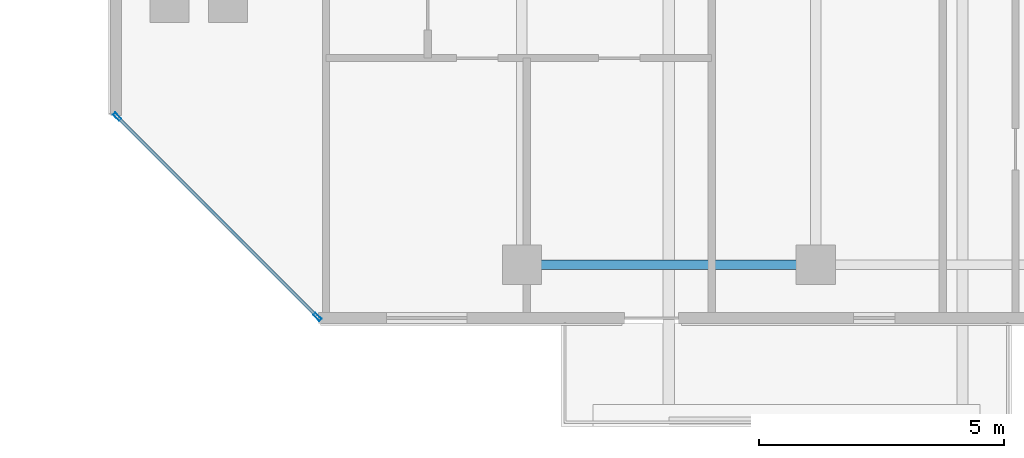
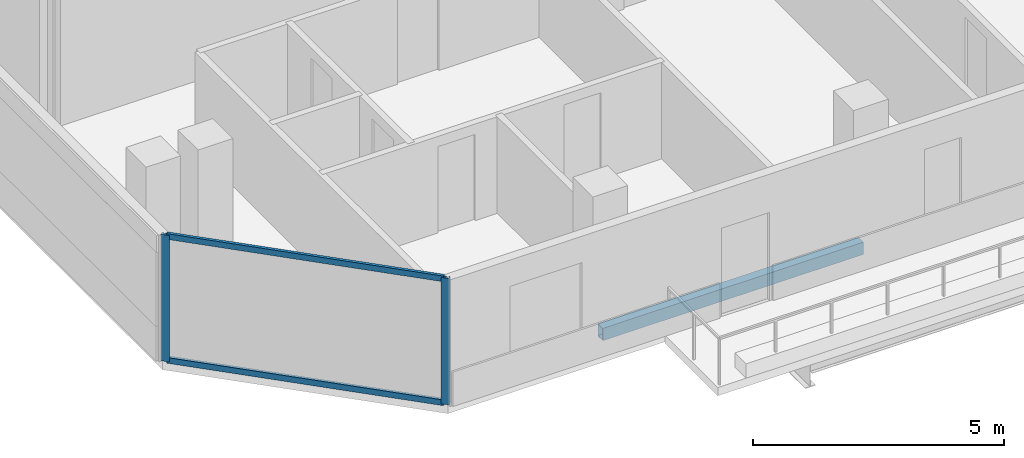
# One storey, part 2 of 29: 4 members, 1 beam, 1 element without a shape of its own.
"""IFC4 building model written with IfcOpenShell, lengths in metres."""

from ifc_helpers import new_model, si_unit, direction, frame, origin, origin_2d, place, context, subcontext, project, spatial, hollow_rectangle, extrude, material, layer, layer_set, material_profile, profile_set, type_object, element, aggregate, save


model = new_model("IFC4")

# Units and contexts
model_context = context("Model", 3, precision=1e-05, world=origin(), true_north=direction((0.0, 1.0)))
body_context = subcontext(model_context, "Body", "Model", "MODEL_VIEW")
ifc_project = project(units=[si_unit("LENGTHUNIT", "METRE"), si_unit("AREAUNIT", "SQUARE_METRE"), si_unit("VOLUMEUNIT", "CUBIC_METRE"), si_unit("PLANEANGLEUNIT", "RADIAN"), si_unit("MASSUNIT", "GRAM", prefix="KILO")], contexts=[model_context])

# Site, building, storey
site_placement = place(None, origin())
site = spatial("IfcSite", under=ifc_project, at=site_placement, CompositionType="ELEMENT")
building_placement = place(site_placement, origin())
building = spatial("IfcBuilding", under=site, at=building_placement, Name="Tanjung Sevakor Pilgrim Tower", CompositionType="ELEMENT")
storey_placement = place(building_placement, frame((0.0, 0.0, 181.830078125)))
storey = spatial("IfcBuildingStorey", under=building, at=storey_placement, Name="L50", CompositionType="ELEMENT", Elevation=181.830078125)

# Beam
ifc_material_1 = material(Name="Steel S355J2", Category="steel")
ifc_material_profile_1 = material_profile(ifc_material_1, hollow_rectangle(XDim=0.199951171875, YDim=0.300048828125, WallThickness=0.012451171875, at=origin_2d()))
ifc_profile_set_1 = profile_set([ifc_material_profile_1], Name="Steel S355J2")
beam_type = type_object("IfcBeamType", Name="BM-B-SP3-RHS_300x200x12.5", PredefinedType="SPANDREL", material=ifc_profile_set_1)
beam_placement = place(storey_placement, frame((30.0, 13.25, -0.3701171875), z_axis=(1.0, 0.0, 0.0), x_axis=(0.0, 1.0, 0.0)))
element("IfcBeam", 1, at=beam_placement, inside=storey, type_object=beam_type, Name="L50 Spandrel MAIN S-01", PredefinedType="SPANDREL", context=body_context, shape_type="SweptSolid", body=[
    extrude(hollow_rectangle(XDim=0.199951171875, YDim=0.300048828125, WallThickness=0.012451171875, at=origin_2d()), origin(), (0.0, 0.0, 1.0), 6.0),
])

# Curtain wall, members
ifc_material_2 = material(Name="Aluminium 6063-T6 and Low-E Glass", Category="aluminium")
ifc_layer = layer(ifc_material_2, 0.179931640625)
ifc_layer_set = layer_set([ifc_layer], Name="CW-SYS-CHAM")
curtain_wall_type = type_object("IfcCurtainWallType", Name="CW-SYS-CHAM", PredefinedType="NOTDEFINED", material=ifc_layer_set)
curtain_wall_placement = place(storey_placement, origin())
curtain_wall = element("IfcCurtainWall", 2, at=curtain_wall_placement, inside=storey, type_object=curtain_wall_type, Name="L50 Curtain Wall CW-CHM-L50-MAIN-15", PredefinedType="NOTDEFINED")
ifc_material_3 = material(Name="Aluminium 6063-T6", Category="aluminium")
ifc_material_profile_2 = material_profile(ifc_material_3, hollow_rectangle(XDim=0.06494140625, YDim=0.179931640625, WallThickness=0.00390625, at=origin_2d()))
ifc_profile_set_2 = profile_set([ifc_material_profile_2], Name="Aluminium 6063-T6")
member_type_1 = type_object("IfcMemberType", Name="TYPE-CWM-1", PredefinedType="MULLION", material=ifc_profile_set_2)
member_1_placement = place(storey_placement, frame((21.73291015625, 16.272705078125, 0.0), z_axis=(0.0, 0.0, 1.0), x_axis=(0.707106781187, 0.707106781187, 0.0)))
member_1 = element("IfcMember", 3, at=member_1_placement, type_object=member_type_1, Name="CW-CHM mullion 1", PredefinedType="MULLION", context=body_context, shape_type="SweptSolid", body=[
    extrude(hollow_rectangle(XDim=0.06494140625, YDim=0.179931640625, WallThickness=0.00390625, at=origin_2d()), origin(), (0.0, 0.0, 1.0), 3.079833984375),
])
member_2_placement = place(storey_placement, frame((25.822509765625, 12.182861328125, 0.0), z_axis=(0.0, 0.0, 1.0), x_axis=(0.707106781187, 0.707106781187, 0.0)))
member_2 = element("IfcMember", 4, at=member_2_placement, type_object=member_type_1, Name="CW-CHM mullion 2", PredefinedType="MULLION", context=body_context, shape_type="SweptSolid", body=[
    extrude(hollow_rectangle(XDim=0.06494140625, YDim=0.179931640625, WallThickness=0.00390625, at=origin_2d()), origin(), (0.0, 0.0, 1.0), 3.079833984375),
])
ifc_material_4 = material(Name="Aluminium 6063-T6", Category="aluminium")
ifc_material_profile_3 = material_profile(ifc_material_4, hollow_rectangle(XDim=0.06494140625, YDim=0.139892578125, WallThickness=0.00390625, at=origin_2d()))
ifc_profile_set_3 = profile_set([ifc_material_profile_3], Name="Aluminium 6063-T6")
member_type_2 = type_object("IfcMemberType", Name="TYPE-CWT-1", PredefinedType="USERDEFINED", material=ifc_profile_set_3)
member_3_placement = place(storey_placement, frame((21.755859375, 16.249755859375, 0.032470703125), z_axis=(0.707106781187, -0.707106781187, 0.0), x_axis=(0.707106781187, 0.707106781187, 0.0)))
member_3 = element("IfcMember", 5, at=member_3_placement, type_object=member_type_2, Name="CW-CHM transom 1.1", ObjectType="TRANSOM", PredefinedType="USERDEFINED", context=body_context, shape_type="SweptSolid", body=[
    extrude(hollow_rectangle(XDim=0.06494140625, YDim=0.139892578125, WallThickness=0.00390625, at=origin_2d()), origin(), (0.0, 0.0, 1.0), 5.71875),
])
member_4_placement = place(storey_placement, frame((21.755859375, 16.249755859375, 3.04736328125), z_axis=(0.707106781187, -0.707106781187, 0.0), x_axis=(0.707106781187, 0.707106781187, 0.0)))
member_4 = element("IfcMember", 6, at=member_4_placement, type_object=member_type_2, Name="CW-CHM transom 1.2", ObjectType="TRANSOM", PredefinedType="USERDEFINED", context=body_context, shape_type="SweptSolid", body=[
    extrude(hollow_rectangle(XDim=0.06494140625, YDim=0.139892578125, WallThickness=0.00390625, at=origin_2d()), origin(), (0.0, 0.0, 1.0), 5.71875),
])
aggregate(curtain_wall, [member_1, member_2, member_3, member_4])

save(model, "model.ifc")
